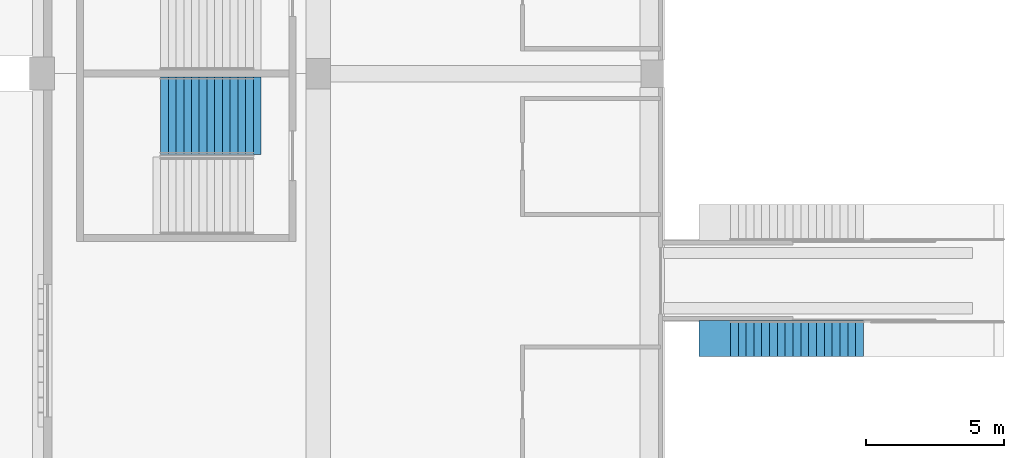
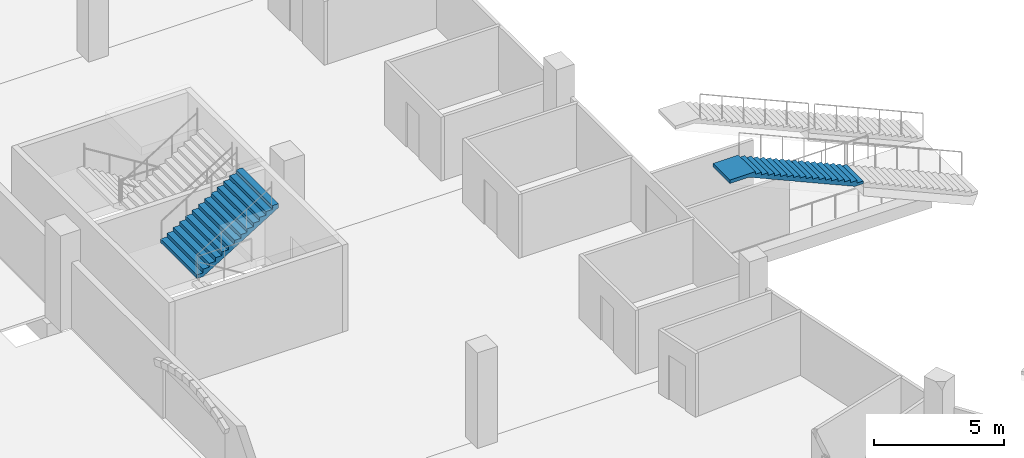
# One storey, part 56 of 175: 2 stair flights, 2 elements without a shape of their own.
"""IFC4 building model written with IfcOpenShell, lengths in metres."""

from ifc_helpers import new_model, si_unit, direction, frame, origin, place, context, subcontext, project, spatial, faceted_brep, material, type_object, element, aggregate, save


model = new_model("IFC4")

# Units and contexts
model_context = context("Model", 3, precision=1e-05, world=origin(), true_north=direction((0.0, 1.0)))
body_context = subcontext(model_context, "Body", "Model", "MODEL_VIEW")
ifc_project = project(units=[si_unit("LENGTHUNIT", "METRE"), si_unit("AREAUNIT", "SQUARE_METRE"), si_unit("VOLUMEUNIT", "CUBIC_METRE"), si_unit("PLANEANGLEUNIT", "RADIAN"), si_unit("MASSUNIT", "GRAM", prefix="KILO")], contexts=[model_context])

# Site, building, storey
site_placement = place(None, origin())
site = spatial("IfcSite", under=ifc_project, at=site_placement, CompositionType="ELEMENT")
building_placement = place(site_placement, origin())
building = spatial("IfcBuilding", under=site, at=building_placement, Name="Ogive Plaza Stadium", CompositionType="ELEMENT")
storey_placement = place(building_placement, origin())
storey = spatial("IfcBuildingStorey", under=building, at=storey_placement, Name="L00", CompositionType="ELEMENT", Elevation=0.0)

# Stair, stair flight
ifc_material_1 = material(Name="Concrete C40/50", Category="concrete")
stair_type_1 = type_object("IfcStairType", Name="Aisle stair", PredefinedType="STRAIGHT_RUN_STAIR", material=ifc_material_1)
stair_1_placement = place(storey_placement, origin())
stair_1 = element("IfcStair", 1, at=stair_1_placement, inside=storey, type_object=stair_type_1, Name="Aisle stair SA21R", PredefinedType="STRAIGHT_RUN_STAIR")
ifc_material_2 = material(Name="Concrete C40/50", Category="concrete")
stair_flight_type_1 = type_object("IfcStairFlightType", Name="Aisle stair flight", PredefinedType="STRAIGHT", material=ifc_material_2)
stair_flight_1_placement = place(storey_placement, frame((-54.25, -47.10009765625, 2.25), z_axis=(0.0, 0.0, 1.0), x_axis=(-1.0, 0.0, 0.0)))
stair_flight_1 = element("IfcStairFlight", 2, at=stair_flight_1_placement, type_object=stair_flight_type_1, Name="SA21R flight 2", NumberOfRisers=18, NumberOfTreads=17, PredefinedType="STRAIGHT", RiserHeight=0.125, TreadLength=0.283333333, context=body_context, shape_type="Brep", body=[
    faceted_brep([(0.371337890625, -0.64990234375, 0.0), (5.10009765625, -0.64990234375, 2.086181640625), (5.949951171875, -0.64990234375, 2.086181640625), (5.949951171875, -0.64990234375, 2.25), (4.816650390625, -0.64990234375, 2.25), (4.816650390625, -0.64990234375, 2.125), (4.533447265625, -0.64990234375, 2.125), (4.533447265625, -0.64990234375, 2.0), (4.25, -0.64990234375, 2.0), (4.25, -0.64990234375, 1.875), (3.966552734375, -0.64990234375, 1.875), (3.966552734375, -0.64990234375, 1.75), (3.683349609375, -0.64990234375, 1.75), (3.683349609375, -0.64990234375, 1.625), (3.39990234375, -0.64990234375, 1.625), (3.39990234375, -0.64990234375, 1.5), (3.11669921875, -0.64990234375, 1.5), (3.11669921875, -0.64990234375, 1.375), (2.833251953125, -0.64990234375, 1.375), (2.833251953125, -0.64990234375, 1.25), (2.550048828125, -0.64990234375, 1.25), (2.550048828125, -0.64990234375, 1.125), (2.2666015625, -0.64990234375, 1.125), (2.2666015625, -0.64990234375, 1.0), (1.9833984375, -0.64990234375, 1.0), (1.9833984375, -0.64990234375, 0.875), (1.699951171875, -0.64990234375, 0.875), (1.699951171875, -0.64990234375, 0.75), (1.416748046875, -0.64990234375, 0.75), (1.416748046875, -0.64990234375, 0.625), (1.13330078125, -0.64990234375, 0.625), (1.13330078125, -0.64990234375, 0.5), (0.85009765625, -0.64990234375, 0.5), (0.85009765625, -0.64990234375, 0.375), (0.566650390625, -0.64990234375, 0.375), (0.566650390625, -0.64990234375, 0.25), (0.283447265625, -0.64990234375, 0.25), (0.283447265625, -0.64990234375, 0.125), (0.0, -0.64990234375, 0.125), (0.0, -0.64990234375, 0.0), (0.0, 0.64990234375, 0.0), (0.0, 0.64990234375, 0.125), (0.283447265625, 0.64990234375, 0.125), (0.283447265625, 0.64990234375, 0.25), (0.566650390625, 0.64990234375, 0.25), (0.566650390625, 0.64990234375, 0.375), (0.85009765625, 0.64990234375, 0.375), (0.85009765625, 0.64990234375, 0.5), (1.13330078125, 0.64990234375, 0.5), (1.13330078125, 0.64990234375, 0.625), (1.416748046875, 0.64990234375, 0.625), (1.416748046875, 0.64990234375, 0.75), (1.699951171875, 0.64990234375, 0.75), (1.699951171875, 0.64990234375, 0.875), (1.9833984375, 0.64990234375, 0.875), (1.9833984375, 0.64990234375, 1.0), (2.2666015625, 0.64990234375, 1.0), (2.2666015625, 0.64990234375, 1.125), (2.550048828125, 0.64990234375, 1.125), (2.550048828125, 0.64990234375, 1.25), (2.833251953125, 0.64990234375, 1.25), (2.833251953125, 0.64990234375, 1.375), (3.11669921875, 0.64990234375, 1.375), (3.11669921875, 0.64990234375, 1.5), (3.39990234375, 0.64990234375, 1.5), (3.39990234375, 0.64990234375, 1.625), (3.683349609375, 0.64990234375, 1.625), (3.683349609375, 0.64990234375, 1.75), (3.966552734375, 0.64990234375, 1.75), (3.966552734375, 0.64990234375, 1.875), (4.25, 0.64990234375, 1.875), (4.25, 0.64990234375, 2.0), (4.533447265625, 0.64990234375, 2.0), (4.533447265625, 0.64990234375, 2.125), (4.816650390625, 0.64990234375, 2.125), (4.816650390625, 0.64990234375, 2.25), (5.949951171875, 0.64990234375, 2.25), (5.949951171875, 0.64990234375, 2.086181640625), (5.10009765625, 0.64990234375, 2.086181640625), (0.371337890625, 0.64990234375, 0.0), (0.371337890625, -0.324951171875, 0.0), (5.10009765625, -0.324951171875, 2.086181640625), (0.371337890625, 0.0, 0.0), (5.10009765625, 0.0, 2.086181640625), (0.371337890625, 0.324951171875, 0.0), (5.10009765625, 0.324951171875, 2.086181640625), (5.949951171875, -0.324951171875, 2.086181640625), (5.949951171875, 0.0, 2.086181640625), (5.949951171875, 0.324951171875, 2.086181640625), (5.949951171875, -0.324951171875, 2.25), (5.949951171875, 0.0, 2.25), (5.949951171875, 0.324951171875, 2.25), (4.816650390625, -0.324951171875, 2.25), (4.816650390625, 0.0, 2.25), (4.816650390625, 0.324951171875, 2.25), (4.816650390625, -0.324951171875, 2.125), (4.816650390625, 0.0, 2.125), (4.816650390625, 0.324951171875, 2.125), (4.533447265625, -0.324951171875, 2.125), (4.533447265625, 0.0, 2.125), (4.533447265625, 0.324951171875, 2.125), (4.533447265625, -0.324951171875, 2.0), (4.533447265625, 0.0, 2.0), (4.533447265625, 0.324951171875, 2.0), (4.25, -0.324951171875, 2.0), (4.25, 0.0, 2.0), (4.25, 0.324951171875, 2.0), (4.25, -0.324951171875, 1.875), (4.25, 0.0, 1.875), (4.25, 0.324951171875, 1.875), (3.966552734375, -0.324951171875, 1.875), (3.966552734375, 0.0, 1.875), (3.966552734375, 0.324951171875, 1.875), (3.966552734375, -0.324951171875, 1.75), (3.966552734375, 0.0, 1.75), (3.966552734375, 0.324951171875, 1.75), (3.683349609375, -0.324951171875, 1.75), (3.683349609375, 0.0, 1.75), (3.683349609375, 0.324951171875, 1.75), (3.683349609375, -0.324951171875, 1.625), (3.683349609375, 0.0, 1.625), (3.683349609375, 0.324951171875, 1.625), (3.39990234375, -0.324951171875, 1.625), (3.39990234375, 0.0, 1.625), (3.39990234375, 0.324951171875, 1.625), (3.39990234375, -0.324951171875, 1.5), (3.39990234375, 0.0, 1.5), (3.39990234375, 0.324951171875, 1.5), (3.11669921875, -0.324951171875, 1.5), (3.11669921875, 0.0, 1.5), (3.11669921875, 0.324951171875, 1.5), (3.11669921875, -0.324951171875, 1.375), (3.11669921875, 0.0, 1.375), (3.11669921875, 0.324951171875, 1.375), (2.833251953125, -0.324951171875, 1.375), (2.833251953125, 0.0, 1.375), (2.833251953125, 0.324951171875, 1.375), (2.833251953125, -0.324951171875, 1.25), (2.833251953125, 0.0, 1.25), (2.833251953125, 0.324951171875, 1.25), (2.550048828125, -0.324951171875, 1.25), (2.550048828125, 0.0, 1.25), (2.550048828125, 0.324951171875, 1.25), (2.550048828125, -0.324951171875, 1.125), (2.550048828125, 0.0, 1.125), (2.550048828125, 0.324951171875, 1.125), (2.2666015625, -0.324951171875, 1.125), (2.2666015625, 0.0, 1.125), (2.2666015625, 0.324951171875, 1.125), (2.2666015625, -0.324951171875, 1.0), (2.2666015625, 0.0, 1.0), (2.2666015625, 0.324951171875, 1.0), (1.9833984375, -0.324951171875, 1.0), (1.9833984375, 0.0, 1.0), (1.9833984375, 0.324951171875, 1.0), (1.9833984375, -0.324951171875, 0.875), (1.9833984375, 0.0, 0.875), (1.9833984375, 0.324951171875, 0.875), (1.699951171875, -0.324951171875, 0.875), (1.699951171875, 0.0, 0.875), (1.699951171875, 0.324951171875, 0.875), (1.699951171875, -0.324951171875, 0.75), (1.699951171875, 0.0, 0.75), (1.699951171875, 0.324951171875, 0.75), (1.416748046875, -0.324951171875, 0.75), (1.416748046875, 0.0, 0.75), (1.416748046875, 0.324951171875, 0.75), (1.416748046875, -0.324951171875, 0.625), (1.416748046875, 0.0, 0.625), (1.416748046875, 0.324951171875, 0.625), (1.13330078125, -0.324951171875, 0.625), (1.13330078125, 0.0, 0.625), (1.13330078125, 0.324951171875, 0.625), (1.13330078125, -0.324951171875, 0.5), (1.13330078125, 0.0, 0.5), (1.13330078125, 0.324951171875, 0.5), (0.85009765625, -0.324951171875, 0.5), (0.85009765625, 0.0, 0.5), (0.85009765625, 0.324951171875, 0.5), (0.85009765625, -0.324951171875, 0.375), (0.85009765625, 0.0, 0.375), (0.85009765625, 0.324951171875, 0.375), (0.566650390625, -0.324951171875, 0.375), (0.566650390625, 0.0, 0.375), (0.566650390625, 0.324951171875, 0.375), (0.566650390625, -0.324951171875, 0.25), (0.566650390625, 0.0, 0.25), (0.566650390625, 0.324951171875, 0.25), (0.283447265625, -0.324951171875, 0.25), (0.283447265625, 0.0, 0.25), (0.283447265625, 0.324951171875, 0.25), (0.283447265625, -0.324951171875, 0.125), (0.283447265625, 0.0, 0.125), (0.283447265625, 0.324951171875, 0.125), (0.0, -0.324951171875, 0.125), (0.0, 0.0, 0.125), (0.0, 0.324951171875, 0.125), (0.0, -0.324951171875, 0.0), (0.0, 0.0, 0.0), (0.0, 0.324951171875, 0.0)], [[[0, 1, 2, 3, 4, 5, 6, 7, 8, 9, 10, 11, 12, 13, 14, 15, 16, 17, 18, 19, 20, 21, 22, 23, 24, 25, 26, 27, 28, 29, 30, 31, 32, 33, 34, 35, 36, 37, 38, 39]], [[40, 41, 42, 43, 44, 45, 46, 47, 48, 49, 50, 51, 52, 53, 54, 55, 56, 57, 58, 59, 60, 61, 62, 63, 64, 65, 66, 67, 68, 69, 70, 71, 72, 73, 74, 75, 76, 77, 78, 79]], [[0, 80, 81, 1]], [[80, 82, 83, 81]], [[82, 84, 85, 83]], [[84, 79, 78, 85]], [[1, 81, 86, 2]], [[81, 83, 87, 86]], [[83, 85, 88, 87]], [[85, 78, 77, 88]], [[2, 86, 89, 3]], [[86, 87, 90, 89]], [[87, 88, 91, 90]], [[88, 77, 76, 91]], [[3, 89, 92, 4]], [[89, 90, 93, 92]], [[90, 91, 94, 93]], [[91, 76, 75, 94]], [[4, 92, 95, 5]], [[92, 93, 96, 95]], [[93, 94, 97, 96]], [[94, 75, 74, 97]], [[5, 95, 98, 6]], [[95, 96, 99, 98]], [[96, 97, 100, 99]], [[97, 74, 73, 100]], [[6, 98, 101, 7]], [[98, 99, 102, 101]], [[99, 100, 103, 102]], [[100, 73, 72, 103]], [[7, 101, 104, 8]], [[101, 102, 105, 104]], [[102, 103, 106, 105]], [[103, 72, 71, 106]], [[8, 104, 107, 9]], [[104, 105, 108, 107]], [[105, 106, 109, 108]], [[106, 71, 70, 109]], [[9, 107, 110, 10]], [[107, 108, 111, 110]], [[108, 109, 112, 111]], [[109, 70, 69, 112]], [[10, 110, 113, 11]], [[110, 111, 114, 113]], [[111, 112, 115, 114]], [[112, 69, 68, 115]], [[11, 113, 116, 12]], [[113, 114, 117, 116]], [[114, 115, 118, 117]], [[115, 68, 67, 118]], [[12, 116, 119, 13]], [[116, 117, 120, 119]], [[117, 118, 121, 120]], [[118, 67, 66, 121]], [[13, 119, 122, 14]], [[119, 120, 123, 122]], [[120, 121, 124, 123]], [[121, 66, 65, 124]], [[14, 122, 125, 15]], [[122, 123, 126, 125]], [[123, 124, 127, 126]], [[124, 65, 64, 127]], [[15, 125, 128, 16]], [[125, 126, 129, 128]], [[126, 127, 130, 129]], [[127, 64, 63, 130]], [[16, 128, 131, 17]], [[128, 129, 132, 131]], [[129, 130, 133, 132]], [[130, 63, 62, 133]], [[17, 131, 134, 18]], [[131, 132, 135, 134]], [[132, 133, 136, 135]], [[133, 62, 61, 136]], [[18, 134, 137, 19]], [[134, 135, 138, 137]], [[135, 136, 139, 138]], [[136, 61, 60, 139]], [[19, 137, 140, 20]], [[137, 138, 141, 140]], [[138, 139, 142, 141]], [[139, 60, 59, 142]], [[20, 140, 143, 21]], [[140, 141, 144, 143]], [[141, 142, 145, 144]], [[142, 59, 58, 145]], [[21, 143, 146, 22]], [[143, 144, 147, 146]], [[144, 145, 148, 147]], [[145, 58, 57, 148]], [[22, 146, 149, 23]], [[146, 147, 150, 149]], [[147, 148, 151, 150]], [[148, 57, 56, 151]], [[23, 149, 152, 24]], [[149, 150, 153, 152]], [[150, 151, 154, 153]], [[151, 56, 55, 154]], [[24, 152, 155, 25]], [[152, 153, 156, 155]], [[153, 154, 157, 156]], [[154, 55, 54, 157]], [[25, 155, 158, 26]], [[155, 156, 159, 158]], [[156, 157, 160, 159]], [[157, 54, 53, 160]], [[26, 158, 161, 27]], [[158, 159, 162, 161]], [[159, 160, 163, 162]], [[160, 53, 52, 163]], [[27, 161, 164, 28]], [[161, 162, 165, 164]], [[162, 163, 166, 165]], [[163, 52, 51, 166]], [[28, 164, 167, 29]], [[164, 165, 168, 167]], [[165, 166, 169, 168]], [[166, 51, 50, 169]], [[29, 167, 170, 30]], [[167, 168, 171, 170]], [[168, 169, 172, 171]], [[169, 50, 49, 172]], [[30, 170, 173, 31]], [[170, 171, 174, 173]], [[171, 172, 175, 174]], [[172, 49, 48, 175]], [[31, 173, 176, 32]], [[173, 174, 177, 176]], [[174, 175, 178, 177]], [[175, 48, 47, 178]], [[32, 176, 179, 33]], [[176, 177, 180, 179]], [[177, 178, 181, 180]], [[178, 47, 46, 181]], [[33, 179, 182, 34]], [[179, 180, 183, 182]], [[180, 181, 184, 183]], [[181, 46, 45, 184]], [[34, 182, 185, 35]], [[182, 183, 186, 185]], [[183, 184, 187, 186]], [[184, 45, 44, 187]], [[35, 185, 188, 36]], [[185, 186, 189, 188]], [[186, 187, 190, 189]], [[187, 44, 43, 190]], [[36, 188, 191, 37]], [[188, 189, 192, 191]], [[189, 190, 193, 192]], [[190, 43, 42, 193]], [[37, 191, 194, 38]], [[191, 192, 195, 194]], [[192, 193, 196, 195]], [[193, 42, 41, 196]], [[38, 194, 197, 39]], [[194, 195, 198, 197]], [[195, 196, 199, 198]], [[196, 41, 40, 199]], [[39, 197, 80, 0]], [[197, 198, 82, 80]], [[198, 199, 84, 82]], [[199, 40, 79, 84]]]),
])
aggregate(stair_1, [stair_flight_1])

ifc_material_3 = material(Name="Concrete C40/50", Category="concrete")
stair_type_2 = type_object("IfcStairType", Name="Exit stair", PredefinedType="STRAIGHT_RUN_STAIR", material=ifc_material_3)
stair_2_placement = place(storey_placement, origin())
stair_2 = element("IfcStair", 3, at=stair_2_placement, inside=storey, type_object=stair_type_2, Name="Exit stair ST22B L00 to L01", PredefinedType="STRAIGHT_RUN_STAIR")
ifc_material_4 = material(Name="Concrete C40/50", Category="concrete")
stair_flight_type_2 = type_object("IfcStairFlightType", Name="Exit stair flight", PredefinedType="STRAIGHT", material=ifc_material_4)
stair_flight_2_placement = place(storey_placement, frame((-79.7099609375, -39.02490234375, 2.25), z_axis=(0.0, 0.0, 1.0), x_axis=(1.0, 0.0, 0.0)))
stair_flight_2 = element("IfcStairFlight", 4, at=stair_flight_2_placement, type_object=stair_flight_type_2, Name="ST22B flight 2", NumberOfRisers=13, NumberOfTreads=12, PredefinedType="STRAIGHT", RiserHeight=0.173076923, TreadLength=0.28, context=body_context, shape_type="Brep", body=[
    faceted_brep([(0.28515625, -1.39990234375, 0.0), (3.639892578125, -1.39990234375, 2.07373046875), (3.639892578125, -1.39990234375, 2.25), (3.360107421875, -1.39990234375, 2.25), (3.360107421875, -1.39990234375, 2.076904296875), (3.080078125, -1.39990234375, 2.076904296875), (3.080078125, -1.39990234375, 1.90380859375), (2.800048828125, -1.39990234375, 1.90380859375), (2.800048828125, -1.39990234375, 1.730712890625), (2.52001953125, -1.39990234375, 1.730712890625), (2.52001953125, -1.39990234375, 1.5576171875), (2.239990234375, -1.39990234375, 1.5576171875), (2.239990234375, -1.39990234375, 1.384521484375), (1.9599609375, -1.39990234375, 1.384521484375), (1.9599609375, -1.39990234375, 1.21142578125), (1.679931640625, -1.39990234375, 1.21142578125), (1.679931640625, -1.39990234375, 1.03857421875), (1.39990234375, -1.39990234375, 1.03857421875), (1.39990234375, -1.39990234375, 0.865478515625), (1.1201171875, -1.39990234375, 0.865478515625), (1.1201171875, -1.39990234375, 0.6923828125), (0.840087890625, -1.39990234375, 0.6923828125), (0.840087890625, -1.39990234375, 0.519287109375), (0.56005859375, -1.39990234375, 0.519287109375), (0.56005859375, -1.39990234375, 0.34619140625), (0.280029296875, -1.39990234375, 0.34619140625), (0.280029296875, -1.39990234375, 0.173095703125), (0.0, -1.39990234375, 0.173095703125), (0.0, -1.39990234375, 0.0), (0.0, 1.39990234375, 0.0), (0.0, 1.39990234375, 0.173095703125), (0.280029296875, 1.39990234375, 0.173095703125), (0.280029296875, 1.39990234375, 0.34619140625), (0.56005859375, 1.39990234375, 0.34619140625), (0.56005859375, 1.39990234375, 0.519287109375), (0.840087890625, 1.39990234375, 0.519287109375), (0.840087890625, 1.39990234375, 0.6923828125), (1.1201171875, 1.39990234375, 0.6923828125), (1.1201171875, 1.39990234375, 0.865478515625), (1.39990234375, 1.39990234375, 0.865478515625), (1.39990234375, 1.39990234375, 1.03857421875), (1.679931640625, 1.39990234375, 1.03857421875), (1.679931640625, 1.39990234375, 1.21142578125), (1.9599609375, 1.39990234375, 1.21142578125), (1.9599609375, 1.39990234375, 1.384521484375), (2.239990234375, 1.39990234375, 1.384521484375), (2.239990234375, 1.39990234375, 1.5576171875), (2.52001953125, 1.39990234375, 1.5576171875), (2.52001953125, 1.39990234375, 1.730712890625), (2.800048828125, 1.39990234375, 1.730712890625), (2.800048828125, 1.39990234375, 1.90380859375), (3.080078125, 1.39990234375, 1.90380859375), (3.080078125, 1.39990234375, 2.076904296875), (3.360107421875, 1.39990234375, 2.076904296875), (3.360107421875, 1.39990234375, 2.25), (3.639892578125, 1.39990234375, 2.25), (3.639892578125, 1.39990234375, 2.07373046875), (0.28515625, 1.39990234375, 0.0), (0.28515625, -1.0888671875, 0.0), (3.639892578125, -1.0888671875, 2.07373046875), (0.28515625, -0.77783203125, 0.0), (3.639892578125, -0.77783203125, 2.07373046875), (0.28515625, -0.466796875, 0.0), (3.639892578125, -0.466796875, 2.07373046875), (0.28515625, -0.155517578125, 0.0), (3.639892578125, -0.155517578125, 2.07373046875), (0.28515625, 0.155517578125, 0.0), (3.639892578125, 0.155517578125, 2.07373046875), (0.28515625, 0.466796875, 0.0), (3.639892578125, 0.466796875, 2.07373046875), (0.28515625, 0.77783203125, 0.0), (3.639892578125, 0.77783203125, 2.07373046875), (0.28515625, 1.0888671875, 0.0), (3.639892578125, 1.0888671875, 2.07373046875), (3.639892578125, -1.0888671875, 2.25), (3.639892578125, -0.77783203125, 2.25), (3.639892578125, -0.466796875, 2.25), (3.639892578125, -0.155517578125, 2.25), (3.639892578125, 0.155517578125, 2.25), (3.639892578125, 0.466796875, 2.25), (3.639892578125, 0.77783203125, 2.25), (3.639892578125, 1.0888671875, 2.25), (3.360107421875, -1.0888671875, 2.25), (3.360107421875, -0.77783203125, 2.25), (3.360107421875, -0.466796875, 2.25), (3.360107421875, -0.155517578125, 2.25), (3.360107421875, 0.155517578125, 2.25), (3.360107421875, 0.466796875, 2.25), (3.360107421875, 0.77783203125, 2.25), (3.360107421875, 1.0888671875, 2.25), (3.360107421875, -1.0888671875, 2.076904296875), (3.360107421875, -0.77783203125, 2.076904296875), (3.360107421875, -0.466796875, 2.076904296875), (3.360107421875, -0.155517578125, 2.076904296875), (3.360107421875, 0.155517578125, 2.076904296875), (3.360107421875, 0.466796875, 2.076904296875), (3.360107421875, 0.77783203125, 2.076904296875), (3.360107421875, 1.0888671875, 2.076904296875), (3.080078125, -1.0888671875, 2.076904296875), (3.080078125, -0.77783203125, 2.076904296875), (3.080078125, -0.466796875, 2.076904296875), (3.080078125, -0.155517578125, 2.076904296875), (3.080078125, 0.155517578125, 2.076904296875), (3.080078125, 0.466796875, 2.076904296875), (3.080078125, 0.77783203125, 2.076904296875), (3.080078125, 1.0888671875, 2.076904296875), (3.080078125, -1.0888671875, 1.90380859375), (3.080078125, -0.77783203125, 1.90380859375), (3.080078125, -0.466796875, 1.90380859375), (3.080078125, -0.155517578125, 1.90380859375), (3.080078125, 0.155517578125, 1.90380859375), (3.080078125, 0.466796875, 1.90380859375), (3.080078125, 0.77783203125, 1.90380859375), (3.080078125, 1.0888671875, 1.90380859375), (2.800048828125, -1.0888671875, 1.90380859375), (2.800048828125, -0.77783203125, 1.90380859375), (2.800048828125, -0.466796875, 1.90380859375), (2.800048828125, -0.155517578125, 1.90380859375), (2.800048828125, 0.155517578125, 1.90380859375), (2.800048828125, 0.466796875, 1.90380859375), (2.800048828125, 0.77783203125, 1.90380859375), (2.800048828125, 1.0888671875, 1.90380859375), (2.800048828125, -1.0888671875, 1.730712890625), (2.800048828125, -0.77783203125, 1.730712890625), (2.800048828125, -0.466796875, 1.730712890625), (2.800048828125, -0.155517578125, 1.730712890625), (2.800048828125, 0.155517578125, 1.730712890625), (2.800048828125, 0.466796875, 1.730712890625), (2.800048828125, 0.77783203125, 1.730712890625), (2.800048828125, 1.0888671875, 1.730712890625), (2.52001953125, -1.0888671875, 1.730712890625), (2.52001953125, -0.77783203125, 1.730712890625), (2.52001953125, -0.466796875, 1.730712890625), (2.52001953125, -0.155517578125, 1.730712890625), (2.52001953125, 0.155517578125, 1.730712890625), (2.52001953125, 0.466796875, 1.730712890625), (2.52001953125, 0.77783203125, 1.730712890625), (2.52001953125, 1.0888671875, 1.730712890625), (2.52001953125, -1.0888671875, 1.5576171875), (2.52001953125, -0.77783203125, 1.5576171875), (2.52001953125, -0.466796875, 1.5576171875), (2.52001953125, -0.155517578125, 1.5576171875), (2.52001953125, 0.155517578125, 1.5576171875), (2.52001953125, 0.466796875, 1.5576171875), (2.52001953125, 0.77783203125, 1.5576171875), (2.52001953125, 1.0888671875, 1.5576171875), (2.239990234375, -1.0888671875, 1.5576171875), (2.239990234375, -0.77783203125, 1.5576171875), (2.239990234375, -0.466796875, 1.5576171875), (2.239990234375, -0.155517578125, 1.5576171875), (2.239990234375, 0.155517578125, 1.5576171875), (2.239990234375, 0.466796875, 1.5576171875), (2.239990234375, 0.77783203125, 1.5576171875), (2.239990234375, 1.0888671875, 1.5576171875), (2.239990234375, -1.0888671875, 1.384521484375), (2.239990234375, -0.77783203125, 1.384521484375), (2.239990234375, -0.466796875, 1.384521484375), (2.239990234375, -0.155517578125, 1.384521484375), (2.239990234375, 0.155517578125, 1.384521484375), (2.239990234375, 0.466796875, 1.384521484375), (2.239990234375, 0.77783203125, 1.384521484375), (2.239990234375, 1.0888671875, 1.384521484375), (1.9599609375, -1.0888671875, 1.384521484375), (1.9599609375, -0.77783203125, 1.384521484375), (1.9599609375, -0.466796875, 1.384521484375), (1.9599609375, -0.155517578125, 1.384521484375), (1.9599609375, 0.155517578125, 1.384521484375), (1.9599609375, 0.466796875, 1.384521484375), (1.9599609375, 0.77783203125, 1.384521484375), (1.9599609375, 1.0888671875, 1.384521484375), (1.9599609375, -1.0888671875, 1.21142578125), (1.9599609375, -0.77783203125, 1.21142578125), (1.9599609375, -0.466796875, 1.21142578125), (1.9599609375, -0.155517578125, 1.21142578125), (1.9599609375, 0.155517578125, 1.21142578125), (1.9599609375, 0.466796875, 1.21142578125), (1.9599609375, 0.77783203125, 1.21142578125), (1.9599609375, 1.0888671875, 1.21142578125), (1.679931640625, -1.0888671875, 1.21142578125), (1.679931640625, -0.77783203125, 1.21142578125), (1.679931640625, -0.466796875, 1.21142578125), (1.679931640625, -0.155517578125, 1.21142578125), (1.679931640625, 0.155517578125, 1.21142578125), (1.679931640625, 0.466796875, 1.21142578125), (1.679931640625, 0.77783203125, 1.21142578125), (1.679931640625, 1.0888671875, 1.21142578125), (1.679931640625, -1.0888671875, 1.03857421875), (1.679931640625, -0.77783203125, 1.03857421875), (1.679931640625, -0.466796875, 1.03857421875), (1.679931640625, -0.155517578125, 1.03857421875), (1.679931640625, 0.155517578125, 1.03857421875), (1.679931640625, 0.466796875, 1.03857421875), (1.679931640625, 0.77783203125, 1.03857421875), (1.679931640625, 1.0888671875, 1.03857421875), (1.39990234375, -1.0888671875, 1.03857421875), (1.39990234375, -0.77783203125, 1.03857421875), (1.39990234375, -0.466796875, 1.03857421875), (1.39990234375, -0.155517578125, 1.03857421875), (1.39990234375, 0.155517578125, 1.03857421875), (1.39990234375, 0.466796875, 1.03857421875), (1.39990234375, 0.77783203125, 1.03857421875), (1.39990234375, 1.0888671875, 1.03857421875), (1.39990234375, -1.0888671875, 0.865478515625), (1.39990234375, -0.77783203125, 0.865478515625), (1.39990234375, -0.466796875, 0.865478515625), (1.39990234375, -0.155517578125, 0.865478515625), (1.39990234375, 0.155517578125, 0.865478515625), (1.39990234375, 0.466796875, 0.865478515625), (1.39990234375, 0.77783203125, 0.865478515625), (1.39990234375, 1.0888671875, 0.865478515625), (1.1201171875, -1.0888671875, 0.865478515625), (1.1201171875, -0.77783203125, 0.865478515625), (1.1201171875, -0.466796875, 0.865478515625), (1.1201171875, -0.155517578125, 0.865478515625), (1.1201171875, 0.155517578125, 0.865478515625), (1.1201171875, 0.466796875, 0.865478515625), (1.1201171875, 0.77783203125, 0.865478515625), (1.1201171875, 1.0888671875, 0.865478515625), (1.1201171875, -1.0888671875, 0.6923828125), (1.1201171875, -0.77783203125, 0.6923828125), (1.1201171875, -0.466796875, 0.6923828125), (1.1201171875, -0.155517578125, 0.6923828125), (1.1201171875, 0.155517578125, 0.6923828125), (1.1201171875, 0.466796875, 0.6923828125), (1.1201171875, 0.77783203125, 0.6923828125), (1.1201171875, 1.0888671875, 0.6923828125), (0.840087890625, -1.0888671875, 0.6923828125), (0.840087890625, -0.77783203125, 0.6923828125), (0.840087890625, -0.466796875, 0.6923828125), (0.840087890625, -0.155517578125, 0.6923828125), (0.840087890625, 0.155517578125, 0.6923828125), (0.840087890625, 0.466796875, 0.6923828125), (0.840087890625, 0.77783203125, 0.6923828125), (0.840087890625, 1.0888671875, 0.6923828125), (0.840087890625, -1.0888671875, 0.519287109375), (0.840087890625, -0.77783203125, 0.519287109375), (0.840087890625, -0.466796875, 0.519287109375), (0.840087890625, -0.155517578125, 0.519287109375), (0.840087890625, 0.155517578125, 0.519287109375), (0.840087890625, 0.466796875, 0.519287109375), (0.840087890625, 0.77783203125, 0.519287109375), (0.840087890625, 1.0888671875, 0.519287109375), (0.56005859375, -1.0888671875, 0.519287109375), (0.56005859375, -0.77783203125, 0.519287109375), (0.56005859375, -0.466796875, 0.519287109375), (0.56005859375, -0.155517578125, 0.519287109375), (0.56005859375, 0.155517578125, 0.519287109375), (0.56005859375, 0.466796875, 0.519287109375), (0.56005859375, 0.77783203125, 0.519287109375), (0.56005859375, 1.0888671875, 0.519287109375), (0.56005859375, -1.0888671875, 0.34619140625), (0.56005859375, -0.77783203125, 0.34619140625), (0.56005859375, -0.466796875, 0.34619140625), (0.56005859375, -0.155517578125, 0.34619140625), (0.56005859375, 0.155517578125, 0.34619140625), (0.56005859375, 0.466796875, 0.34619140625), (0.56005859375, 0.77783203125, 0.34619140625), (0.56005859375, 1.0888671875, 0.34619140625), (0.280029296875, -1.0888671875, 0.34619140625), (0.280029296875, -0.77783203125, 0.34619140625), (0.280029296875, -0.466796875, 0.34619140625), (0.280029296875, -0.155517578125, 0.34619140625), (0.280029296875, 0.155517578125, 0.34619140625), (0.280029296875, 0.466796875, 0.34619140625), (0.280029296875, 0.77783203125, 0.34619140625), (0.280029296875, 1.0888671875, 0.34619140625), (0.280029296875, -1.0888671875, 0.173095703125), (0.280029296875, -0.77783203125, 0.173095703125), (0.280029296875, -0.466796875, 0.173095703125), (0.280029296875, -0.155517578125, 0.173095703125), (0.280029296875, 0.155517578125, 0.173095703125), (0.280029296875, 0.466796875, 0.173095703125), (0.280029296875, 0.77783203125, 0.173095703125), (0.280029296875, 1.0888671875, 0.173095703125), (0.0, -1.0888671875, 0.173095703125), (0.0, -0.77783203125, 0.173095703125), (0.0, -0.466796875, 0.173095703125), (0.0, -0.155517578125, 0.173095703125), (0.0, 0.155517578125, 0.173095703125), (0.0, 0.466796875, 0.173095703125), (0.0, 0.77783203125, 0.173095703125), (0.0, 1.0888671875, 0.173095703125), (0.0, -1.0888671875, 0.0), (0.0, -0.77783203125, 0.0), (0.0, -0.466796875, 0.0), (0.0, -0.155517578125, 0.0), (0.0, 0.155517578125, 0.0), (0.0, 0.466796875, 0.0), (0.0, 0.77783203125, 0.0), (0.0, 1.0888671875, 0.0)], [[[0, 1, 2, 3, 4, 5, 6, 7, 8, 9, 10, 11, 12, 13, 14, 15, 16, 17, 18, 19, 20, 21, 22, 23, 24, 25, 26, 27, 28]], [[29, 30, 31, 32, 33, 34, 35, 36, 37, 38, 39, 40, 41, 42, 43, 44, 45, 46, 47, 48, 49, 50, 51, 52, 53, 54, 55, 56, 57]], [[0, 58, 59, 1]], [[58, 60, 61, 59]], [[60, 62, 63, 61]], [[62, 64, 65, 63]], [[64, 66, 67, 65]], [[66, 68, 69, 67]], [[68, 70, 71, 69]], [[70, 72, 73, 71]], [[72, 57, 56, 73]], [[1, 59, 74, 2]], [[59, 61, 75, 74]], [[61, 63, 76, 75]], [[63, 65, 77, 76]], [[65, 67, 78, 77]], [[67, 69, 79, 78]], [[69, 71, 80, 79]], [[71, 73, 81, 80]], [[73, 56, 55, 81]], [[2, 74, 82, 3]], [[74, 75, 83, 82]], [[75, 76, 84, 83]], [[76, 77, 85, 84]], [[77, 78, 86, 85]], [[78, 79, 87, 86]], [[79, 80, 88, 87]], [[80, 81, 89, 88]], [[81, 55, 54, 89]], [[3, 82, 90, 4]], [[82, 83, 91, 90]], [[83, 84, 92, 91]], [[84, 85, 93, 92]], [[85, 86, 94, 93]], [[86, 87, 95, 94]], [[87, 88, 96, 95]], [[88, 89, 97, 96]], [[89, 54, 53, 97]], [[4, 90, 98, 5]], [[90, 91, 99, 98]], [[91, 92, 100, 99]], [[92, 93, 101, 100]], [[93, 94, 102, 101]], [[94, 95, 103, 102]], [[95, 96, 104, 103]], [[96, 97, 105, 104]], [[97, 53, 52, 105]], [[5, 98, 106, 6]], [[98, 99, 107, 106]], [[99, 100, 108, 107]], [[100, 101, 109, 108]], [[101, 102, 110, 109]], [[102, 103, 111, 110]], [[103, 104, 112, 111]], [[104, 105, 113, 112]], [[105, 52, 51, 113]], [[6, 106, 114, 7]], [[106, 107, 115, 114]], [[107, 108, 116, 115]], [[108, 109, 117, 116]], [[109, 110, 118, 117]], [[110, 111, 119, 118]], [[111, 112, 120, 119]], [[112, 113, 121, 120]], [[113, 51, 50, 121]], [[7, 114, 122, 8]], [[114, 115, 123, 122]], [[115, 116, 124, 123]], [[116, 117, 125, 124]], [[117, 118, 126, 125]], [[118, 119, 127, 126]], [[119, 120, 128, 127]], [[120, 121, 129, 128]], [[121, 50, 49, 129]], [[8, 122, 130, 9]], [[122, 123, 131, 130]], [[123, 124, 132, 131]], [[124, 125, 133, 132]], [[125, 126, 134, 133]], [[126, 127, 135, 134]], [[127, 128, 136, 135]], [[128, 129, 137, 136]], [[129, 49, 48, 137]], [[9, 130, 138, 10]], [[130, 131, 139, 138]], [[131, 132, 140, 139]], [[132, 133, 141, 140]], [[133, 134, 142, 141]], [[134, 135, 143, 142]], [[135, 136, 144, 143]], [[136, 137, 145, 144]], [[137, 48, 47, 145]], [[10, 138, 146, 11]], [[138, 139, 147, 146]], [[139, 140, 148, 147]], [[140, 141, 149, 148]], [[141, 142, 150, 149]], [[142, 143, 151, 150]], [[143, 144, 152, 151]], [[144, 145, 153, 152]], [[145, 47, 46, 153]], [[11, 146, 154, 12]], [[146, 147, 155, 154]], [[147, 148, 156, 155]], [[148, 149, 157, 156]], [[149, 150, 158, 157]], [[150, 151, 159, 158]], [[151, 152, 160, 159]], [[152, 153, 161, 160]], [[153, 46, 45, 161]], [[12, 154, 162, 13]], [[154, 155, 163, 162]], [[155, 156, 164, 163]], [[156, 157, 165, 164]], [[157, 158, 166, 165]], [[158, 159, 167, 166]], [[159, 160, 168, 167]], [[160, 161, 169, 168]], [[161, 45, 44, 169]], [[13, 162, 170, 14]], [[162, 163, 171, 170]], [[163, 164, 172, 171]], [[164, 165, 173, 172]], [[165, 166, 174, 173]], [[166, 167, 175, 174]], [[167, 168, 176, 175]], [[168, 169, 177, 176]], [[169, 44, 43, 177]], [[14, 170, 178, 15]], [[170, 171, 179, 178]], [[171, 172, 180, 179]], [[172, 173, 181, 180]], [[173, 174, 182, 181]], [[174, 175, 183, 182]], [[175, 176, 184, 183]], [[176, 177, 185, 184]], [[177, 43, 42, 185]], [[15, 178, 186, 16]], [[178, 179, 187, 186]], [[179, 180, 188, 187]], [[180, 181, 189, 188]], [[181, 182, 190, 189]], [[182, 183, 191, 190]], [[183, 184, 192, 191]], [[184, 185, 193, 192]], [[185, 42, 41, 193]], [[16, 186, 194, 17]], [[186, 187, 195, 194]], [[187, 188, 196, 195]], [[188, 189, 197, 196]], [[189, 190, 198, 197]], [[190, 191, 199, 198]], [[191, 192, 200, 199]], [[192, 193, 201, 200]], [[193, 41, 40, 201]], [[17, 194, 202, 18]], [[194, 195, 203, 202]], [[195, 196, 204, 203]], [[196, 197, 205, 204]], [[197, 198, 206, 205]], [[198, 199, 207, 206]], [[199, 200, 208, 207]], [[200, 201, 209, 208]], [[201, 40, 39, 209]], [[18, 202, 210, 19]], [[202, 203, 211, 210]], [[203, 204, 212, 211]], [[204, 205, 213, 212]], [[205, 206, 214, 213]], [[206, 207, 215, 214]], [[207, 208, 216, 215]], [[208, 209, 217, 216]], [[209, 39, 38, 217]], [[19, 210, 218, 20]], [[210, 211, 219, 218]], [[211, 212, 220, 219]], [[212, 213, 221, 220]], [[213, 214, 222, 221]], [[214, 215, 223, 222]], [[215, 216, 224, 223]], [[216, 217, 225, 224]], [[217, 38, 37, 225]], [[20, 218, 226, 21]], [[218, 219, 227, 226]], [[219, 220, 228, 227]], [[220, 221, 229, 228]], [[221, 222, 230, 229]], [[222, 223, 231, 230]], [[223, 224, 232, 231]], [[224, 225, 233, 232]], [[225, 37, 36, 233]], [[21, 226, 234, 22]], [[226, 227, 235, 234]], [[227, 228, 236, 235]], [[228, 229, 237, 236]], [[229, 230, 238, 237]], [[230, 231, 239, 238]], [[231, 232, 240, 239]], [[232, 233, 241, 240]], [[233, 36, 35, 241]], [[22, 234, 242, 23]], [[234, 235, 243, 242]], [[235, 236, 244, 243]], [[236, 237, 245, 244]], [[237, 238, 246, 245]], [[238, 239, 247, 246]], [[239, 240, 248, 247]], [[240, 241, 249, 248]], [[241, 35, 34, 249]], [[23, 242, 250, 24]], [[242, 243, 251, 250]], [[243, 244, 252, 251]], [[244, 245, 253, 252]], [[245, 246, 254, 253]], [[246, 247, 255, 254]], [[247, 248, 256, 255]], [[248, 249, 257, 256]], [[249, 34, 33, 257]], [[24, 250, 258, 25]], [[250, 251, 259, 258]], [[251, 252, 260, 259]], [[252, 253, 261, 260]], [[253, 254, 262, 261]], [[254, 255, 263, 262]], [[255, 256, 264, 263]], [[256, 257, 265, 264]], [[257, 33, 32, 265]], [[25, 258, 266, 26]], [[258, 259, 267, 266]], [[259, 260, 268, 267]], [[260, 261, 269, 268]], [[261, 262, 270, 269]], [[262, 263, 271, 270]], [[263, 264, 272, 271]], [[264, 265, 273, 272]], [[265, 32, 31, 273]], [[26, 266, 274, 27]], [[266, 267, 275, 274]], [[267, 268, 276, 275]], [[268, 269, 277, 276]], [[269, 270, 278, 277]], [[270, 271, 279, 278]], [[271, 272, 280, 279]], [[272, 273, 281, 280]], [[273, 31, 30, 281]], [[27, 274, 282, 28]], [[274, 275, 283, 282]], [[275, 276, 284, 283]], [[276, 277, 285, 284]], [[277, 278, 286, 285]], [[278, 279, 287, 286]], [[279, 280, 288, 287]], [[280, 281, 289, 288]], [[281, 30, 29, 289]], [[28, 282, 58, 0]], [[282, 283, 60, 58]], [[283, 284, 62, 60]], [[284, 285, 64, 62]], [[285, 286, 66, 64]], [[286, 287, 68, 66]], [[287, 288, 70, 68]], [[288, 289, 72, 70]], [[289, 29, 57, 72]]]),
])
aggregate(stair_2, [stair_flight_2])

save(model, "model.ifc")
